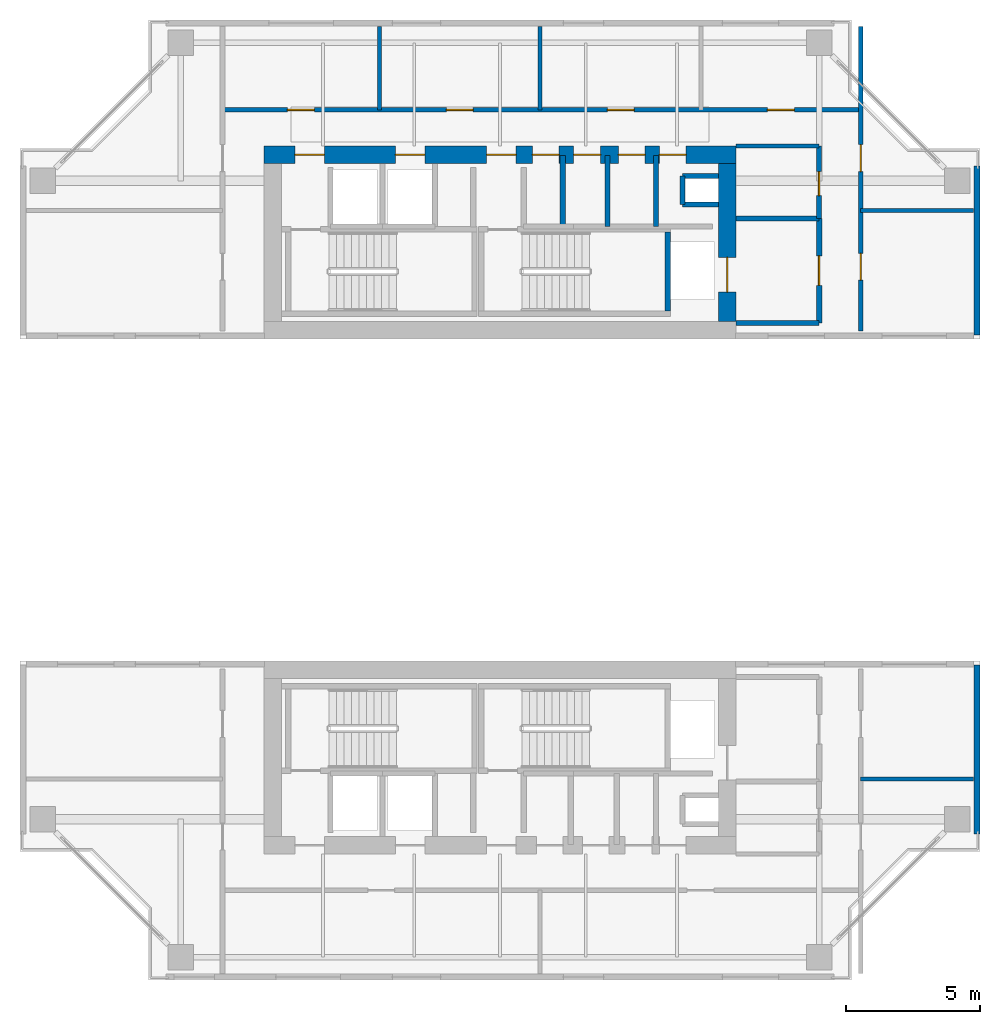
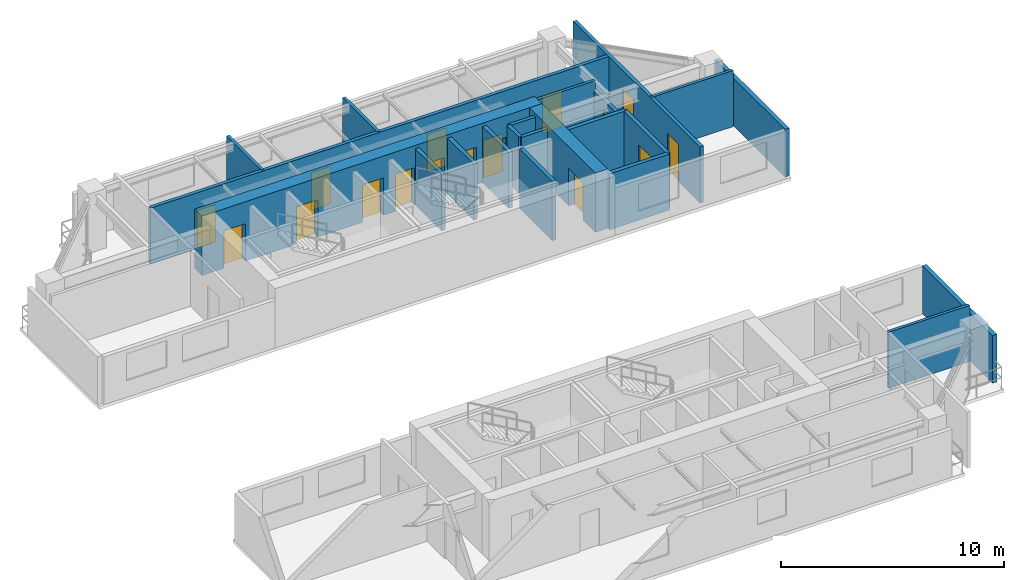
# One storey, part 9 of 12: 22 walls, 16 doors, 16 openings.
"""IFC4 building model written with IfcOpenShell, lengths in metres."""

import ifcopenshell
import ifcopenshell.guid

model = None  # the IFC model being written
_history = None  # IfcOwnerHistory: only IFC2X3 demands one
_inside = {}  # id of a spatial element -> (the spatial element, [elements in it])
_under = {}  # id of a project, library or spatial element -> (it, [spatial elements below it])
_declared = {}  # id of a project -> (the project, [libraries it declares])
_typed = {}  # id of a type object -> (the type object, [elements of that type])
_made_of = {}  # id of a material, layer set ... -> (it, [elements and type objects made of it])


def new_model(schema):
    """Start an empty IFC model of exactly this schema.

    Asked for "IFC4X3", IfcOpenShell would pick the latest addendum, in which some entities
    have other attributes; the version numbers below select the first issue.
    IFC2X3 requires an IfcOwnerHistory on every rooted entity: one is made here for all.
    """
    global model, _history
    if schema == "IFC4X3":
        model = ifcopenshell.file(schema_version=(4, 3, 0, 0))
    else:
        model = ifcopenshell.file(schema=schema)
    _inside.clear()
    _under.clear()
    _declared.clear()
    _typed.clear()
    _made_of.clear()
    _history = None
    if model.schema == "IFC2X3":
        org = make("IfcOrganization", Name="unknown")
        user = make(
            "IfcPersonAndOrganization",
            ThePerson=make("IfcPerson", FamilyName="unknown"),
            TheOrganization=org,
        )
        app = make(
            "IfcApplication",
            ApplicationDeveloper=org,
            Version="unknown",
            ApplicationFullName="unknown",
            ApplicationIdentifier="unknown",
        )
        _history = make(
            "IfcOwnerHistory",
            OwningUser=user,
            OwningApplication=app,
            ChangeAction="ADDED",
            CreationDate=0,
        )
    return model


def make(cls, **values):
    """One entity of the class cls with the attributes given. An attribute that is None is left unset."""
    return model.create_entity(
        cls, **{name: value for name, value in values.items() if value is not None}
    )


def rooted(cls, **values):
    """An entity with a GlobalId (a new one), such as an element, a storey or a relation."""
    return make(cls, GlobalId=ifcopenshell.guid.new(), OwnerHistory=_history, **values)


def si_unit(unit_type, name, prefix=None):
    """IfcSIUnit, for example si_unit("LENGTHUNIT", "METRE", prefix="MILLI")."""
    return make("IfcSIUnit", UnitType=unit_type, Prefix=prefix, Name=name)


def assignment(units):
    """IfcUnitAssignment: the units of a project."""
    return None if units is None else make("IfcUnitAssignment", Units=units)


def point(xyz):
    """IfcCartesianPoint."""
    return None if xyz is None else make("IfcCartesianPoint", Coordinates=xyz)


def direction(xyz):
    """IfcDirection."""
    return None if xyz is None else make("IfcDirection", DirectionRatios=xyz)


def frame(location, z_axis=None, x_axis=None):
    """IfcAxis2Placement3D, a coordinate frame: its origin and axes. An axis left out is left unset."""
    return make(
        "IfcAxis2Placement3D",
        Location=point(location),
        Axis=direction(z_axis),
        RefDirection=direction(x_axis),
    )


def frame_2d(location, x_axis=None):
    """IfcAxis2Placement2D, a coordinate frame in the plane: its origin and x axis."""
    return make(
        "IfcAxis2Placement2D", Location=point(location), RefDirection=direction(x_axis)
    )


def origin():
    """The frame at (0, 0, 0) with its axes left unset."""
    return frame((0.0, 0.0, 0.0))


def place(relative_to, where):
    """IfcLocalPlacement: puts the frame where relative to a parent placement (None: the world)."""
    return make(
        "IfcLocalPlacement", PlacementRelTo=relative_to, RelativePlacement=where
    )


def context(
    kind, dimensions, precision=None, world=None, true_north=None, identifier=None
):
    """IfcGeometricRepresentationContext, for example the 3D "Model" context."""
    return make(
        "IfcGeometricRepresentationContext",
        ContextIdentifier=identifier,
        ContextType=kind,
        CoordinateSpaceDimension=dimensions,
        Precision=precision,
        WorldCoordinateSystem=world,
        TrueNorth=true_north,
    )


def subcontext(parent, identifier, kind, view, scale=None):
    """IfcGeometricRepresentationSubContext, for example "Body" below "Model"."""
    return make(
        "IfcGeometricRepresentationSubContext",
        ContextIdentifier=identifier,
        ContextType=kind,
        ParentContext=parent,
        TargetScale=scale,
        TargetView=view,
    )


def project(units=None, contexts=None):
    """IfcProject with its units and contexts."""
    return rooted(
        "IfcProject",
        Name="project",
        RepresentationContexts=contexts,
        UnitsInContext=assignment(units),
    )


def spatial(cls, under=None, at=None, **own):
    """A site, building, storey or space (cls), placed at a placement, below another one or the project."""
    s = rooted(cls, ObjectPlacement=at, **own)
    if under is not None:
        _under.setdefault(under.id(), (under, []))[1].append(s)
    return s


def profile(cls, at=None, kind="AREA", **sizes):
    """A parametric profile (cls). Its sizes go by their IFC names, for example OverallWidth=200.0."""
    return make(cls, ProfileType=kind, Position=at, **sizes)


def rectangle(**sizes):
    """IfcRectangleProfileDef."""
    return profile("IfcRectangleProfileDef", **sizes)


def extrude(swept, where, along, depth):
    """IfcExtrudedAreaSolid: the profile swept, set in the frame where, extruded along a direction by depth."""
    return make(
        "IfcExtrudedAreaSolid",
        SweptArea=swept,
        Position=where,
        ExtrudedDirection=direction(along),
        Depth=depth,
    )


def shape(context_of_items, identifier, shape_type, items):
    """IfcShapeRepresentation: the items that make up one representation, for example the "Body"."""
    return make(
        "IfcShapeRepresentation",
        ContextOfItems=context_of_items,
        RepresentationIdentifier=identifier,
        RepresentationType=shape_type,
        Items=items,
    )


def source(mapping_origin, context_of_items, identifier, shape_type, items):
    """IfcRepresentationMap: a shape defined once, which mapped items show again and again."""
    return make(
        "IfcRepresentationMap",
        MappingOrigin=mapping_origin,
        MappedRepresentation=shape(context_of_items, identifier, shape_type, items),
    )


def transform(
    local_origin,
    x_axis=None,
    y_axis=None,
    z_axis=None,
    scale=None,
    scale2=None,
    scale3=None,
    uniform=True,
):
    """IfcCartesianTransformationOperator3D, or its non-uniform kind. x_axis, y_axis, z_axis: its Axis1, 2, 3."""
    if uniform:
        return make(
            "IfcCartesianTransformationOperator3D",
            Axis1=direction(x_axis),
            Axis2=direction(y_axis),
            LocalOrigin=point(local_origin),
            Scale=scale,
            Axis3=direction(z_axis),
        )
    return make(
        "IfcCartesianTransformationOperator3DnonUniform",
        Axis1=direction(x_axis),
        Axis2=direction(y_axis),
        LocalOrigin=point(local_origin),
        Scale=scale,
        Axis3=direction(z_axis),
        Scale2=scale2,
        Scale3=scale3,
    )


def mapped(mapping_source, mapping_target):
    """IfcMappedItem: shows the shape of a source again, moved by a transform."""
    return make(
        "IfcMappedItem", MappingSource=mapping_source, MappingTarget=mapping_target
    )


def material(Name=None, Category=None):
    """IfcMaterial."""
    return make("IfcMaterial", Name=Name, Category=Category)


def layer(
    of_material, thickness, ventilated=None, Name=None, Category=None, Priority=None
):
    """IfcMaterialLayer: one layer of a wall or slab, of a material (None: an air gap)."""
    return make(
        "IfcMaterialLayer",
        Material=of_material,
        LayerThickness=thickness,
        IsVentilated=ventilated,
        Name=Name,
        Category=Category,
        Priority=Priority,
    )


def layer_set(layers, Name=None):
    """IfcMaterialLayerSet."""
    return make("IfcMaterialLayerSet", MaterialLayers=layers, LayerSetName=Name)


def made_of(thing, what):
    """Note that an element or type object is made of a material, layer set ...; save() writes the relation."""
    if what is not None:
        _made_of.setdefault(what.id(), (what, []))[1].append(thing)
    return thing


def type_object(cls, material=None, **own):
    """A type object (cls), such as IfcWallType, which elements share."""
    return made_of(rooted(cls, **own), material)


def element(
    cls,
    number,
    at=None,
    inside=None,
    cuts=None,
    type_object=None,
    material=None,
    context=None,
    identifier="Body",
    shape_type=None,
    held_by="IfcProductDefinitionShape",
    body=None,
    shapes=None,
    **own,
):
    """One element of the class cls, such as IfcWall. Its Tag is "e" and its number.

    at: its placement. inside: the storey or other place that contains it. cuts: it is an
    opening in that element (IfcRelVoidsElement). A single representation is given by context,
    identifier, shape_type and body (its items); several are given by shapes. held_by: the class
    of the entity that holds the representations. save() writes the other relations.
    """
    e = rooted(cls, Tag="e%d" % number, ObjectPlacement=at, **own)
    if body is not None:
        shapes = [shape(context, identifier, shape_type, body)]
    if shapes is not None:
        e.Representation = make(held_by, Representations=shapes)
    if inside is not None:
        _inside.setdefault(inside.id(), (inside, []))[1].append(e)
    if cuts is not None:
        rooted(
            "IfcRelVoidsElement", RelatingBuildingElement=cuts, RelatedOpeningElement=e
        )
    if type_object is not None:
        _typed.setdefault(type_object.id(), (type_object, []))[1].append(e)
    return made_of(e, material)


def fill(opening, filler):
    """IfcRelFillsElement: the door or window that sits in an opening."""
    return rooted(
        "IfcRelFillsElement",
        RelatingOpeningElement=opening,
        RelatedBuildingElement=filler,
    )


def aggregate(whole, parts):
    """IfcRelAggregates: a whole, such as a stair, and the parts it consists of."""
    return rooted("IfcRelAggregates", RelatingObject=whole, RelatedObjects=parts)


def save(model, path):
    """Write the relations noted so far, then the file.

    IfcRelAggregates (storeys below a building ...), IfcRelContainedInSpatialStructure (elements
    in a storey), IfcRelDefinesByType, IfcRelAssociatesMaterial and IfcRelDeclares: one each for
    every whole, place, type object, material and project.
    """
    for whole, parts in _under.values():
        aggregate(whole, parts)
    for where, things in _inside.values():
        rooted(
            "IfcRelContainedInSpatialStructure",
            RelatedElements=things,
            RelatingStructure=where,
        )
    for kind, things in _typed.values():
        rooted("IfcRelDefinesByType", RelatedObjects=things, RelatingType=kind)
    for what, things in _made_of.values():
        rooted("IfcRelAssociatesMaterial", RelatedObjects=things, RelatingMaterial=what)
    for by, libraries in _declared.values():
        rooted("IfcRelDeclares", RelatingContext=by, RelatedDefinitions=libraries)
    model.write(path)


model = new_model("IFC4")

# Units and contexts
model_context = context("Model", 3, precision=1e-05, world=origin(), true_north=direction((0.0, 1.0)))
body_context = subcontext(model_context, "Body", "Model", "MODEL_VIEW")
ifc_project = project(units=[si_unit("LENGTHUNIT", "METRE"), si_unit("AREAUNIT", "SQUARE_METRE"), si_unit("VOLUMEUNIT", "CUBIC_METRE"), si_unit("PLANEANGLEUNIT", "RADIAN"), si_unit("MASSUNIT", "GRAM", prefix="KILO"), si_unit("THERMODYNAMICTEMPERATUREUNIT", "KELVIN"), si_unit("POWERUNIT", "WATT")], contexts=[model_context])

# Site, building, storey
site_placement = place(None, origin())
site = spatial("IfcSite", under=ifc_project, at=site_placement, CompositionType="ELEMENT")
building_placement = place(site_placement, origin())
building = spatial("IfcBuilding", under=site, at=building_placement, Name="Qiaomeng Ring Towers", CompositionType="ELEMENT")
storey_placement = place(building_placement, frame((0.0, 0.0, 163.25)))
storey = spatial("IfcBuildingStorey", under=building, at=storey_placement, Name="L47", CompositionType="ELEMENT", Elevation=163.25)

# Walls
ifc_material_1 = material(Name="Precast concrete C40", Category="concrete")
ifc_layer_1 = layer(ifc_material_1, 0.219970703125, Name="Precast concrete C40")
ifc_layer_set_1 = layer_set([ifc_layer_1], Name="Precast concrete C40")
wall_type_1 = type_object("IfcWallType", Name="ARC-WL-EW2", PredefinedType="STANDARD", material=ifc_layer_set_1)
for number, where, z_axis, x_axis, name in (
    (1, (36.7900390625, 29.14990234375, 0.0), (0.0, 0.0, 1.0), (0.0, 1.0, 0.0), "L47 Portal Wing Side Wall NWING-EL"),
    (2, (36.7900390625, 10.550048828125, 0.0), (0.0, 0.0, 1.0), (0.0, 1.0, 0.0), "L47 Portal Wing Side Wall SWING-EL"),
):
    element("IfcWall", number, at=place(storey_placement, frame(where, z_axis=z_axis, x_axis=x_axis)), inside=storey, type_object=wall_type_1, Name=name, PredefinedType="STANDARD", context=body_context, shape_type="SweptSolid", body=[
        extrude(rectangle(XDim=6.300048828125, YDim=0.219970703125, at=frame_2d((3.14990234375, 0.0))), origin(), (0.0, 0.0, 1.0), 2.610107421875),
    ])
ifc_material_2 = material(Name="Autoclaved aerated concrete block", Category="concrete")
ifc_layer_2 = layer(ifc_material_2, 0.199951171875, Name="Autoclaved aerated concrete block")
ifc_layer_set_2 = layer_set([ifc_layer_2], Name="Autoclaved aerated concrete block")
wall_type_2 = type_object("IfcWallType", Name="ARC-WL-PW1", PredefinedType="PARTITIONING", material=ifc_layer_set_2)
for number, where, z_axis, x_axis, name in (
    (3, (27.800048828125, 29.60009765625, 0.0), (0.0, 0.0, 1.0), (1.0, 0.0, 0.0), "L47 Interior Wall PW1"),
    (4, (27.800048828125, 33.5, 0.0), (0.0, 0.0, 1.0), (1.0, 0.0, 0.0), "L47 Interior Wall PW1"),
):
    element("IfcWall", number, at=place(storey_placement, frame(where, z_axis=z_axis, x_axis=x_axis)), inside=storey, type_object=wall_type_2, Name=name, PredefinedType="PARTITIONING", context=body_context, shape_type="SweptSolid", body=[
        extrude(rectangle(XDim=3.099853515625, YDim=0.199951171875, at=frame_2d((1.5498046875, 0.0))), origin(), (0.0, 0.0, 1.0), 3.070068359375),
    ])

# Wall, opening, door
wall_1_placement = place(storey_placement, frame((30.89990234375, 29.60009765625, 0.0), z_axis=(0.0, 0.0, 1.0), x_axis=(0.0, 1.0, 0.0)))
wall_1 = element("IfcWall", 5, at=wall_1_placement, inside=storey, type_object=wall_type_2, Name="L47 Interior Wall PW1", PredefinedType="PARTITIONING", context=body_context, shape_type="SweptSolid", body=[
    extrude(rectangle(XDim=3.89990234375, YDim=0.199951171875, at=frame_2d((1.949951171875, 0.0))), origin(), (0.0, 0.0, 1.0), 3.070068359375),
])
opening_1_placement = place(wall_1_placement, frame((1.39990234375, 0.0, 0.0)))
opening_1 = element("IfcOpeningElement", 6, at=opening_1_placement, cuts=wall_1, Name="Opening FD3", PredefinedType="OPENING", context=body_context, shape_type="SweptSolid", body=[
    extrude(rectangle(XDim=1.10009765625, YDim=2.050048828125, at=frame_2d((0.550048828125, 1.02490234375))), frame((0.0, 0.10986328125, 0.0), z_axis=(0.0, -1.0, 0.0), x_axis=(1.0, 0.0, 0.0)), (0.0, 0.0, 1.0), 0.219970703125),
])
ifc_material_3 = material(Name="Galvanised steel", Category="steel")
door_type_1 = type_object("IfcDoorType", Name="ARC-DR-FD3", OperationType="NOTDEFINED", PredefinedType="DOOR", material=ifc_material_3)
shared_shape_1 = source(origin(), body_context, "Body", "SweptSolid", [
    extrude(rectangle(XDim=1.10009765625, YDim=2.050048828125, at=frame_2d((0.550048828125, 1.02490234375))), frame((0.0, 0.02490234375, 0.0), z_axis=(0.0, -1.0, 0.0), x_axis=(1.0, 0.0, 0.0)), (0.0, 0.0, 1.0), 0.050048828125),
])
door_1_placement = place(opening_1_placement, origin())
door_1 = element("IfcDoor", 7, at=door_1_placement, inside=storey, type_object=door_type_1, Name="L47 North FF Lobby Door", OperationType="SINGLE_SWING_LEFT", OverallHeight=2.050048828125, OverallWidth=1.10009765625, PredefinedType="DOOR", context=body_context, shape_type="MappedRepresentation", body=[
    mapped(shared_shape_1, transform((0.0, 0.0, 0.0), x_axis=(1.0, 0.0, 0.0), y_axis=(0.0, 1.0, 0.0), z_axis=(0.0, 0.0, 1.0), scale=1.0)),
])
fill(opening_1, door_1)

# Walls
for number, where, z_axis, x_axis, name in (
    (8, (24.820068359375, 33.199951171875, 0.0), (0.0, 0.0, 1.0), (0.0, 1.0, 0.0), "L47 Interior Wall PW1"),
    (9, (21.340087890625, 33.199951171875, 0.0), (0.0, 0.0, 1.0), (0.0, 1.0, 0.0), "L47 Interior Wall PW1"),
    (10, (23.010009765625, 33.199951171875, 0.0), (0.0, 0.0, 1.0), (0.0, 1.0, 0.0), "L47 Interior Wall PW1"),
):
    element("IfcWall", number, at=place(storey_placement, frame(where, z_axis=z_axis, x_axis=x_axis)), inside=storey, type_object=wall_type_2, Name=name, PredefinedType="PARTITIONING", context=body_context, shape_type="SweptSolid", body=[
        extrude(rectangle(XDim=2.650146484375, YDim=0.199951171875, at=frame_2d((1.3251953125, 0.0))), origin(), (0.0, 0.0, 1.0), 3.070068359375),
    ])

# Wall, opening, door
ifc_layer_3 = layer(ifc_material_2, 0.179931640625, Name="Autoclaved aerated concrete block")
ifc_layer_set_3 = layer_set([ifc_layer_3], Name="Autoclaved aerated concrete block")
wall_type_3 = type_object("IfcWallType", Name="ARC-WL-PW2", PredefinedType="PARTITIONING", material=ifc_layer_set_3)
wall_2_placement = place(storey_placement, frame((30.89990234375, 33.5, 0.0), z_axis=(0.0, 0.0, 1.0), x_axis=(0.0, 1.0, 0.0)))
wall_2 = element("IfcWall", 11, at=wall_2_placement, inside=storey, type_object=wall_type_3, Name="L47 Interior Wall PW2", PredefinedType="PARTITIONING", context=body_context, shape_type="SweptSolid", body=[
    extrude(rectangle(XDim=2.699951171875, YDim=0.179931640625, at=frame_2d((1.35009765625, 0.0))), origin(), (0.0, 0.0, 1.0), 2.56494140625),
])
opening_2_placement = place(wall_2_placement, frame((0.85009765625, 0.0, 0.0)))
opening_2 = element("IfcOpeningElement", 12, at=opening_2_placement, cuts=wall_2, Name="Opening ID1", PredefinedType="OPENING", context=body_context, shape_type="SweptSolid", body=[
    extrude(rectangle(XDim=0.89990234375, YDim=2.050048828125, at=frame_2d((0.449951171875, 1.02490234375))), frame((0.0, 0.099853515625, 0.0), z_axis=(0.0, -1.0, 0.0), x_axis=(1.0, 0.0, 0.0)), (0.0, 0.0, 1.0), 0.199951171875),
])
ifc_material_4 = material(Name="Engineered oak timber", Category="wood")
door_type_2 = type_object("IfcDoorType", Name="ARC-DR-ID1", OperationType="NOTDEFINED", PredefinedType="DOOR", material=ifc_material_4)
shared_shape_2 = source(origin(), body_context, "Body", "SweptSolid", [
    extrude(rectangle(XDim=0.89990234375, YDim=2.050048828125, at=frame_2d((0.449951171875, 1.02490234375))), frame((0.0, 0.02490234375, 0.0), z_axis=(0.0, -1.0, 0.0), x_axis=(1.0, 0.0, 0.0)), (0.0, 0.0, 1.0), 0.050048828125),
])
door_2_placement = place(opening_2_placement, origin())
door_2 = element("IfcDoor", 13, at=door_2_placement, inside=storey, type_object=door_type_2, Name="L47 Door ID1", OperationType="SINGLE_SWING_LEFT", OverallHeight=2.050048828125, OverallWidth=0.89990234375, PredefinedType="DOOR", context=body_context, shape_type="MappedRepresentation", body=[
    mapped(shared_shape_2, transform((0.0, 0.0, 0.0), x_axis=(1.0, 0.0, 0.0), y_axis=(0.0, 1.0, 0.0), z_axis=(0.0, 0.0, 1.0), scale=1.0)),
])
fill(opening_2, door_2)

# Wall, openings, doors
wall_3_placement = place(storey_placement, frame((32.449951171875, 29.300048828125, 0.0), z_axis=(0.0, 0.0, 1.0), x_axis=(0.0, 1.0, 0.0)))
wall_3 = element("IfcWall", 14, at=wall_3_placement, inside=storey, type_object=wall_type_3, Name="L47 Interior Wall PW2", PredefinedType="PARTITIONING", context=body_context, shape_type="SweptSolid", body=[
    extrude(rectangle(XDim=11.349853515625, YDim=0.179931640625, at=frame_2d((5.6748046875, 0.0))), origin(), (0.0, 0.0, 1.0), 3.070068359375),
])
opening_3_placement = place(wall_3_placement, frame((1.89990234375, 0.0, 0.0)))
opening_3 = element("IfcOpeningElement", 15, at=opening_3_placement, cuts=wall_3, Name="Opening FD4", PredefinedType="OPENING", context=body_context, shape_type="SweptSolid", body=[
    extrude(rectangle(XDim=1.0, YDim=2.050048828125, at=frame_2d((0.5, 1.02490234375))), frame((0.0, 0.099853515625, 0.0), z_axis=(0.0, -1.0, 0.0), x_axis=(1.0, 0.0, 0.0)), (0.0, 0.0, 1.0), 0.199951171875),
])
opening_4_placement = place(wall_3_placement, frame((5.949951171875, 0.0, 0.0)))
opening_4 = element("IfcOpeningElement", 16, at=opening_4_placement, cuts=wall_3, Name="Opening FD4", PredefinedType="OPENING", context=body_context, shape_type="SweptSolid", body=[
    extrude(rectangle(XDim=1.0, YDim=2.050048828125, at=frame_2d((0.5, 1.02490234375))), frame((0.0, 0.099853515625, 0.0), z_axis=(0.0, -1.0, 0.0), x_axis=(1.0, 0.0, 0.0)), (0.0, 0.0, 1.0), 0.199951171875),
])
ifc_material_5 = material(Name="Engineered fire-rated oak timber", Category="wood")
door_type_3 = type_object("IfcDoorType", Name="ARC-DR-FD4", OperationType="NOTDEFINED", PredefinedType="DOOR", material=ifc_material_5)
shared_shape_3 = source(origin(), body_context, "Body", "SweptSolid", [
    extrude(rectangle(XDim=1.0, YDim=2.050048828125, at=frame_2d((0.5, 1.02490234375))), frame((0.0, 0.02490234375, 0.0), z_axis=(0.0, -1.0, 0.0), x_axis=(1.0, 0.0, 0.0)), (0.0, 0.0, 1.0), 0.050048828125),
])
door_3_placement = place(opening_3_placement, origin())
door_3 = element("IfcDoor", 17, at=door_3_placement, inside=storey, type_object=door_type_3, Name="L47 Door FD4", OperationType="SINGLE_SWING_LEFT", OverallHeight=2.050048828125, OverallWidth=1.0, PredefinedType="DOOR", context=body_context, shape_type="MappedRepresentation", body=[
    mapped(shared_shape_3, transform((0.0, 0.0, 0.0), x_axis=(1.0, 0.0, 0.0), y_axis=(0.0, 1.0, 0.0), z_axis=(0.0, 0.0, 1.0), scale=1.0)),
])
fill(opening_3, door_3)
door_4_placement = place(opening_4_placement, origin())
door_4 = element("IfcDoor", 18, at=door_4_placement, inside=storey, type_object=door_type_3, Name="L47 Door FD4", OperationType="SINGLE_SWING_RIGHT", OverallHeight=2.050048828125, OverallWidth=1.0, PredefinedType="DOOR", context=body_context, shape_type="MappedRepresentation", body=[
    mapped(shared_shape_3, transform((0.0, 0.0, 0.0), x_axis=(1.0, 0.0, 0.0), y_axis=(0.0, 1.0, 0.0), z_axis=(0.0, 0.0, 1.0), scale=1.0)),
])
fill(opening_4, door_4)

wall_4_placement = place(storey_placement, frame((8.64990234375, 37.550048828125, 0.0), z_axis=(0.0, 0.0, 1.0), x_axis=(1.0, 0.0, 0.0)))
wall_4 = element("IfcWall", 19, at=wall_4_placement, inside=storey, type_object=wall_type_3, Name="L47 Interior Wall PW2", PredefinedType="PARTITIONING", context=body_context, shape_type="SweptSolid", body=[
    extrude(rectangle(XDim=23.800048828125, YDim=0.179931640625, at=frame_2d((11.89990234375, 0.0))), origin(), (0.0, 0.0, 1.0), 3.070068359375),
])
opening_5_placement = place(wall_4_placement, frame((2.425048828125, 0.0, 0.0)))
opening_5 = element("IfcOpeningElement", 20, at=opening_5_placement, cuts=wall_4, Name="Opening FD4", PredefinedType="OPENING", context=body_context, shape_type="SweptSolid", body=[
    extrude(rectangle(XDim=1.0, YDim=2.050048828125, at=frame_2d((0.5, 1.02490234375))), frame((0.0, 0.099853515625, 0.0), z_axis=(0.0, -1.0, 0.0), x_axis=(1.0, 0.0, 0.0)), (0.0, 0.0, 1.0), 0.199951171875),
])
opening_6_placement = place(wall_4_placement, frame((8.35009765625, 0.0, 0.0)))
opening_6 = element("IfcOpeningElement", 21, at=opening_6_placement, cuts=wall_4, Name="Opening FD4", PredefinedType="OPENING", context=body_context, shape_type="SweptSolid", body=[
    extrude(rectangle(XDim=1.0, YDim=2.050048828125, at=frame_2d((0.5, 1.02490234375))), frame((0.0, 0.099853515625, 0.0), z_axis=(0.0, -1.0, 0.0), x_axis=(1.0, 0.0, 0.0)), (0.0, 0.0, 1.0), 0.199951171875),
])
opening_7_placement = place(wall_4_placement, frame((14.35009765625, 0.0, 0.0)))
opening_7 = element("IfcOpeningElement", 22, at=opening_7_placement, cuts=wall_4, Name="Opening FD4", PredefinedType="OPENING", context=body_context, shape_type="SweptSolid", body=[
    extrude(rectangle(XDim=1.0, YDim=2.050048828125, at=frame_2d((0.5, 1.02490234375))), frame((0.0, 0.099853515625, 0.0), z_axis=(0.0, -1.0, 0.0), x_axis=(1.0, 0.0, 0.0)), (0.0, 0.0, 1.0), 0.199951171875),
])
opening_8_placement = place(wall_4_placement, frame((20.324951171875, 0.0, 0.0)))
opening_8 = element("IfcOpeningElement", 23, at=opening_8_placement, cuts=wall_4, Name="Opening FD4", PredefinedType="OPENING", context=body_context, shape_type="SweptSolid", body=[
    extrude(rectangle(XDim=1.0, YDim=2.050048828125, at=frame_2d((0.5, 1.02490234375))), frame((0.0, 0.099853515625, 0.0), z_axis=(0.0, -1.0, 0.0), x_axis=(1.0, 0.0, 0.0)), (0.0, 0.0, 1.0), 0.199951171875),
])
door_5_placement = place(opening_5_placement, origin())
door_5 = element("IfcDoor", 24, at=door_5_placement, inside=storey, type_object=door_type_3, Name="L47 Door FD4", OperationType="SINGLE_SWING_LEFT", OverallHeight=2.050048828125, OverallWidth=1.0, PredefinedType="DOOR", context=body_context, shape_type="MappedRepresentation", body=[
    mapped(shared_shape_3, transform((0.0, 0.0, 0.0), x_axis=(1.0, 0.0, 0.0), y_axis=(0.0, 1.0, 0.0), z_axis=(0.0, 0.0, 1.0), scale=1.0)),
])
fill(opening_5, door_5)
door_6_placement = place(opening_6_placement, origin())
door_6 = element("IfcDoor", 25, at=door_6_placement, inside=storey, type_object=door_type_3, Name="L47 Door FD4", OperationType="SINGLE_SWING_RIGHT", OverallHeight=2.050048828125, OverallWidth=1.0, PredefinedType="DOOR", context=body_context, shape_type="MappedRepresentation", body=[
    mapped(shared_shape_3, transform((0.0, 0.0, 0.0), x_axis=(1.0, 0.0, 0.0), y_axis=(0.0, 1.0, 0.0), z_axis=(0.0, 0.0, 1.0), scale=1.0)),
])
fill(opening_6, door_6)
door_7_placement = place(opening_7_placement, origin())
door_7 = element("IfcDoor", 26, at=door_7_placement, inside=storey, type_object=door_type_3, Name="L47 Door FD4", OperationType="SINGLE_SWING_LEFT", OverallHeight=2.050048828125, OverallWidth=1.0, PredefinedType="DOOR", context=body_context, shape_type="MappedRepresentation", body=[
    mapped(shared_shape_3, transform((0.0, 0.0, 0.0), x_axis=(1.0, 0.0, 0.0), y_axis=(0.0, 1.0, 0.0), z_axis=(0.0, 0.0, 1.0), scale=1.0)),
])
fill(opening_7, door_7)
door_8_placement = place(opening_8_placement, origin())
door_8 = element("IfcDoor", 27, at=door_8_placement, inside=storey, type_object=door_type_3, Name="L47 Door FD4", OperationType="SINGLE_SWING_RIGHT", OverallHeight=2.050048828125, OverallWidth=1.0, PredefinedType="DOOR", context=body_context, shape_type="MappedRepresentation", body=[
    mapped(shared_shape_3, transform((0.0, 0.0, 0.0), x_axis=(1.0, 0.0, 0.0), y_axis=(0.0, 1.0, 0.0), z_axis=(0.0, 0.0, 1.0), scale=1.0)),
])
fill(opening_8, door_8)

# Walls
ifc_material_6 = material(Name="Gypsum fireboard steel-stud partition", Category="steel")
ifc_layer_4 = layer(ifc_material_6, 0.14990234375, Name="Gypsum fireboard steel-stud partition")
ifc_layer_set_4 = layer_set([ifc_layer_4], Name="Gypsum fireboard steel-stud partition")
wall_type_4 = type_object("IfcWallType", Name="ARC-WL-PW3", PredefinedType="PARTITIONING", material=ifc_layer_set_4)
wall_5_placement = place(storey_placement, frame((27.800048828125, 36.199951171875, 0.0), z_axis=(0.0, 0.0, 1.0), x_axis=(1.0, 0.0, 0.0)))
element("IfcWall", 28, at=wall_5_placement, inside=storey, type_object=wall_type_4, Name="L47 Interior Wall PW3", PredefinedType="PARTITIONING", context=body_context, shape_type="SweptSolid", body=[
    extrude(rectangle(XDim=3.099853515625, YDim=0.14990234375, at=frame_2d((1.5498046875, 0.0))), origin(), (0.0, 0.0, 1.0), 3.070068359375),
])
wall_6_placement = place(storey_placement, frame((32.449951171875, 33.800048828125, 0.0), z_axis=(0.0, 0.0, 1.0), x_axis=(1.0, 0.0, 0.0)))
element("IfcWall", 29, at=wall_6_placement, inside=storey, type_object=wall_type_4, Name="L47 Interior Wall PW3", PredefinedType="PARTITIONING", context=body_context, shape_type="SweptSolid", body=[
    extrude(rectangle(XDim=4.199951171875, YDim=0.14990234375, at=frame_2d((2.10009765625, 0.0))), origin(), (0.0, 0.0, 1.0), 3.070068359375),
])
for number, where, z_axis, x_axis, name in (
    (30, (14.5, 37.550048828125, 0.0), (0.0, 0.0, 1.0), (0.0, 1.0, 0.0), "L47 Interior Wall PW3"),
    (31, (20.5, 37.550048828125, 0.0), (0.0, 0.0, 1.0), (0.0, 1.0, 0.0), "L47 Interior Wall PW3"),
):
    element("IfcWall", number, at=place(storey_placement, frame(where, z_axis=z_axis, x_axis=x_axis)), inside=storey, type_object=wall_type_4, Name=name, PredefinedType="PARTITIONING", context=body_context, shape_type="SweptSolid", body=[
        extrude(rectangle(XDim=3.099853515625, YDim=0.14990234375, at=frame_2d((1.5498046875, 0.0))), origin(), (0.0, 0.0, 1.0), 3.070068359375),
    ])
wall_7_placement = place(storey_placement, frame((32.449951171875, 12.60009765625, 0.0), z_axis=(0.0, 0.0, 1.0), x_axis=(1.0, 0.0, 0.0)))
element("IfcWall", 32, at=wall_7_placement, inside=storey, type_object=wall_type_4, Name="L47 Interior Wall PW3", PredefinedType="PARTITIONING", context=body_context, shape_type="SweptSolid", body=[
    extrude(rectangle(XDim=4.199951171875, YDim=0.14990234375, at=frame_2d((2.10009765625, 0.0))), origin(), (0.0, 0.0, 1.0), 3.070068359375),
])
ifc_material_7 = material(Name="Concrete C40", Category="concrete")
ifc_layer_5 = layer(ifc_material_7, 0.199951171875, Name="Concrete C40")
ifc_layer_set_5 = layer_set([ifc_layer_5], Name="Concrete C40")
wall_type_5 = type_object("IfcWallType", Name="STR-WL-STSHAFT", PredefinedType="SHEAR", material=ifc_layer_set_5)
wall_8_placement = place(storey_placement, frame((25.800048828125, 34.02001953125, 0.0), z_axis=(0.0, 0.0, 1.0), x_axis=(0.0, 1.0, 0.0)))
element("IfcWall", 33, at=wall_8_placement, inside=storey, type_object=wall_type_5, Name="L47 Riser RSR1 West Shaft Wall N", PredefinedType="SHEAR", context=body_context, shape_type="SweptSolid", body=[
    extrude(rectangle(XDim=1.06005859375, YDim=0.179931640625, at=frame_2d((0.530029296875, 0.0))), origin(), (0.0, 0.0, 1.0), 3.070068359375),
])
for number, where, z_axis, x_axis, name in (
    (34, (25.800048828125, 35.080078125, 0.0), (0.0, 0.0, 1.0), (1.0, 0.0, 0.0), "L47 Riser RSR1 North Shaft Wall N"),
    (35, (25.800048828125, 34.02001953125, 0.0), (0.0, 0.0, 1.0), (1.0, 0.0, 0.0), "L47 Riser RSR1 South Shaft Wall N"),
):
    element("IfcWall", number, at=place(storey_placement, frame(where, z_axis=z_axis, x_axis=x_axis)), inside=storey, type_object=wall_type_5, Name=name, PredefinedType="SHEAR", context=body_context, shape_type="SweptSolid", body=[
        extrude(rectangle(XDim=1.349853515625, YDim=0.179931640625, at=frame_2d((0.6748046875, 0.0))), origin(), (0.0, 0.0, 1.0), 3.070068359375),
    ])
wall_9_placement = place(storey_placement, frame((25.25, 30.050048828125, 0.0), z_axis=(0.0, 0.0, 1.0), x_axis=(0.0, 1.0, 0.0)))
element("IfcWall", 36, at=wall_9_placement, inside=storey, type_object=wall_type_5, Name="L47 Stair ST2 East Shaft Shear Wall", PredefinedType="SHEAR", context=body_context, shape_type="SweptSolid", body=[
    extrude(rectangle(XDim=2.93994140625, YDim=0.199951171875, at=frame_2d((1.469970703125, 0.0))), origin(), (0.0, 0.0, 1.0), 3.25),
])

# Wall, openings, doors
ifc_material_8 = material(Name="Concrete C50", Category="concrete")
ifc_layer_6 = layer(ifc_material_8, 0.64990234375, Name="Concrete C50")
ifc_layer_set_6 = layer_set([ifc_layer_6], Name="Concrete C50")
wall_type_6 = type_object("IfcWallType", Name="STR-WL-SW2B", PredefinedType="SHEAR", material=ifc_layer_set_6)
wall_10_placement = place(storey_placement, frame((10.199951171875, 35.875, 0.0), z_axis=(0.0, 0.0, 1.0), x_axis=(1.0, 0.0, 0.0)))
wall_10 = element("IfcWall", 37, at=wall_10_placement, inside=storey, type_object=wall_type_6, Name="L47 T1NC north core shear wall", PredefinedType="SHEAR", context=body_context, shape_type="SweptSolid", body=[
    extrude(rectangle(XDim=17.60009765625, YDim=0.64990234375, at=frame_2d((8.800048828125, 0.0))), origin(), (0.0, 0.0, 1.0), 3.25),
])
opening_9_placement = place(wall_10_placement, frame((1.14990234375, 0.0, 0.0)))
opening_9 = element("IfcOpeningElement", 38, at=opening_9_placement, cuts=wall_10, Name="Opening FD3", PredefinedType="OPENING", context=body_context, shape_type="SweptSolid", body=[
    extrude(rectangle(XDim=1.10009765625, YDim=2.050048828125, at=frame_2d((0.550048828125, 1.02490234375))), frame((0.0, 0.3349609375, 0.0), z_axis=(0.0, -1.0, 0.0), x_axis=(1.0, 0.0, 0.0)), (0.0, 0.0, 1.0), 0.669921875),
])
opening_10_placement = place(wall_10_placement, frame((8.300048828125, 0.0, 0.0)))
opening_10 = element("IfcOpeningElement", 39, at=opening_10_placement, cuts=wall_10, Name="Opening FD3", PredefinedType="OPENING", context=body_context, shape_type="SweptSolid", body=[
    extrude(rectangle(XDim=1.10009765625, YDim=2.050048828125, at=frame_2d((0.550048828125, 1.02490234375))), frame((0.0, 0.3349609375, 0.0), z_axis=(0.0, -1.0, 0.0), x_axis=(1.0, 0.0, 0.0)), (0.0, 0.0, 1.0), 0.669921875),
])
opening_11_placement = place(wall_10_placement, frame((4.89990234375, 0.0, 0.0)))
opening_11 = element("IfcOpeningElement", 40, at=opening_11_placement, cuts=wall_10, Name="Opening LD1", PredefinedType="OPENING", context=body_context, shape_type="SweptSolid", body=[
    extrude(rectangle(XDim=1.10009765625, YDim=2.050048828125, at=frame_2d((0.550048828125, 1.02490234375))), frame((0.0, 0.3349609375, 0.0), z_axis=(0.0, -1.0, 0.0), x_axis=(1.0, 0.0, 0.0)), (0.0, 0.0, 1.0), 0.669921875),
])
opening_12_placement = place(wall_10_placement, frame((14.739990234375, 0.0, 0.0)))
opening_12 = element("IfcOpeningElement", 41, at=opening_12_placement, cuts=wall_10, Name="Opening FD1", PredefinedType="OPENING", context=body_context, shape_type="SweptSolid", body=[
    extrude(rectangle(XDim=1.0, YDim=2.050048828125, at=frame_2d((0.5, 1.02490234375))), frame((0.0, 0.3349609375, 0.0), z_axis=(0.0, -1.0, 0.0), x_axis=(1.0, 0.0, 0.0)), (0.0, 0.0, 1.0), 0.669921875),
])
opening_13_placement = place(wall_10_placement, frame((10.0048828125, 0.0, 0.0)))
opening_13 = element("IfcOpeningElement", 42, at=opening_13_placement, cuts=wall_10, Name="Opening FD1", PredefinedType="OPENING", context=body_context, shape_type="SweptSolid", body=[
    extrude(rectangle(XDim=1.0, YDim=2.050048828125, at=frame_2d((0.5, 1.02490234375))), frame((0.0, 0.3349609375, 0.0), z_axis=(0.0, -1.0, 0.0), x_axis=(1.0, 0.0, 0.0)), (0.0, 0.0, 1.0), 0.669921875),
])
opening_14_placement = place(wall_10_placement, frame((11.550048828125, 0.0, 0.0)))
opening_14 = element("IfcOpeningElement", 43, at=opening_14_placement, cuts=wall_10, Name="Opening FD1", PredefinedType="OPENING", context=body_context, shape_type="SweptSolid", body=[
    extrude(rectangle(XDim=1.0, YDim=2.050048828125, at=frame_2d((0.5, 1.02490234375))), frame((0.0, 0.3349609375, 0.0), z_axis=(0.0, -1.0, 0.0), x_axis=(1.0, 0.0, 0.0)), (0.0, 0.0, 1.0), 0.669921875),
])
opening_15_placement = place(wall_10_placement, frame((13.215087890625, 0.0, 0.0)))
opening_15 = element("IfcOpeningElement", 44, at=opening_15_placement, cuts=wall_10, Name="Opening FD1", PredefinedType="OPENING", context=body_context, shape_type="SweptSolid", body=[
    extrude(rectangle(XDim=1.0, YDim=2.050048828125, at=frame_2d((0.5, 1.02490234375))), frame((0.0, 0.3349609375, 0.0), z_axis=(0.0, -1.0, 0.0), x_axis=(1.0, 0.0, 0.0)), (0.0, 0.0, 1.0), 0.669921875),
])
door_9_placement = place(opening_9_placement, origin())
door_9 = element("IfcDoor", 45, at=door_9_placement, inside=storey, type_object=door_type_1, Name="L47 Stair ST1 Lobby Door", OperationType="SINGLE_SWING_LEFT", OverallHeight=2.050048828125, OverallWidth=1.10009765625, PredefinedType="DOOR", context=body_context, shape_type="MappedRepresentation", body=[
    mapped(shared_shape_1, transform((0.0, 0.0, 0.0), x_axis=(1.0, 0.0, 0.0), y_axis=(0.0, 1.0, 0.0), z_axis=(0.0, 0.0, 1.0), scale=1.0)),
])
fill(opening_9, door_9)
door_10_placement = place(opening_10_placement, origin())
door_10 = element("IfcDoor", 46, at=door_10_placement, inside=storey, type_object=door_type_1, Name="L47 Stair ST2 Lobby Door", OperationType="SINGLE_SWING_LEFT", OverallHeight=2.050048828125, OverallWidth=1.10009765625, PredefinedType="DOOR", context=body_context, shape_type="MappedRepresentation", body=[
    mapped(shared_shape_1, transform((0.0, 0.0, 0.0), x_axis=(1.0, 0.0, 0.0), y_axis=(0.0, 1.0, 0.0), z_axis=(0.0, 0.0, 1.0), scale=1.0)),
])
fill(opening_10, door_10)
ifc_material_9 = material(Name="Stainless steel 316", Category="steel")
door_type_4 = type_object("IfcDoorType", Name="ARC-DR-LD1", OperationType="NOTDEFINED", PredefinedType="DOOR", material=ifc_material_9)
door_11_placement = place(opening_11_placement, origin())
door_11 = element("IfcDoor", 47, at=door_11_placement, inside=storey, type_object=door_type_4, Name="L47 Mid-Zone Lift LP3 Landing Door", OperationType="SLIDING_TO_LEFT", OverallHeight=2.050048828125, OverallWidth=1.10009765625, PredefinedType="DOOR", context=body_context, shape_type="MappedRepresentation", body=[
    mapped(shared_shape_1, transform((0.0, 0.0, 0.0), x_axis=(1.0, 0.0, 0.0), y_axis=(0.0, 1.0, 0.0), z_axis=(0.0, 0.0, 1.0), scale=1.0)),
])
fill(opening_11, door_11)
door_type_5 = type_object("IfcDoorType", Name="ARC-DR-FD1", OperationType="NOTDEFINED", PredefinedType="DOOR", material=ifc_material_3)
door_12_placement = place(opening_12_placement, origin())
door_12 = element("IfcDoor", 48, at=door_12_placement, inside=storey, type_object=door_type_5, Name="L47 North Electrical Riser Door", OperationType="SINGLE_SWING_LEFT", OverallHeight=2.050048828125, OverallWidth=1.0, PredefinedType="DOOR", context=body_context, shape_type="MappedRepresentation", body=[
    mapped(shared_shape_3, transform((0.0, 0.0, 0.0), x_axis=(1.0, 0.0, 0.0), y_axis=(0.0, 1.0, 0.0), z_axis=(0.0, 0.0, 1.0), scale=1.0)),
])
fill(opening_12, door_12)
door_13_placement = place(opening_13_placement, origin())
door_13 = element("IfcDoor", 49, at=door_13_placement, inside=storey, type_object=door_type_5, Name="L47 North Cleaners Cupboard Door", OperationType="SINGLE_SWING_LEFT", OverallHeight=2.050048828125, OverallWidth=1.0, PredefinedType="DOOR", context=body_context, shape_type="MappedRepresentation", body=[
    mapped(shared_shape_3, transform((0.0, 0.0, 0.0), x_axis=(1.0, 0.0, 0.0), y_axis=(0.0, 1.0, 0.0), z_axis=(0.0, 0.0, 1.0), scale=1.0)),
])
fill(opening_13, door_13)
door_14_placement = place(opening_14_placement, origin())
door_14 = element("IfcDoor", 50, at=door_14_placement, inside=storey, type_object=door_type_5, Name="L47 North Staff Tea Pantry Door", OperationType="SINGLE_SWING_RIGHT", OverallHeight=2.050048828125, OverallWidth=1.0, PredefinedType="DOOR", context=body_context, shape_type="MappedRepresentation", body=[
    mapped(shared_shape_3, transform((0.0, 0.0, 0.0), x_axis=(1.0, 0.0, 0.0), y_axis=(0.0, 1.0, 0.0), z_axis=(0.0, 0.0, 1.0), scale=1.0)),
])
fill(opening_14, door_14)
door_15_placement = place(opening_15_placement, origin())
door_15 = element("IfcDoor", 51, at=door_15_placement, inside=storey, type_object=door_type_5, Name="L47 North Records Study Door", OperationType="SINGLE_SWING_LEFT", OverallHeight=2.050048828125, OverallWidth=1.0, PredefinedType="DOOR", context=body_context, shape_type="MappedRepresentation", body=[
    mapped(shared_shape_3, transform((0.0, 0.0, 0.0), x_axis=(1.0, 0.0, 0.0), y_axis=(0.0, 1.0, 0.0), z_axis=(0.0, 0.0, 1.0), scale=1.0)),
])
fill(opening_15, door_15)

# Wall, opening, door
wall_11_placement = place(storey_placement, frame((27.47509765625, 29.64990234375, 0.0), z_axis=(0.0, 0.0, 1.0), x_axis=(0.0, 1.0, 0.0)))
wall_11 = element("IfcWall", 52, at=wall_11_placement, inside=storey, type_object=wall_type_6, Name="L47 T1NC east core shear wall", PredefinedType="SHEAR", context=body_context, shape_type="SweptSolid", body=[
    extrude(rectangle(XDim=5.900146484375, YDim=0.64990234375, at=frame_2d((2.9501953125, 0.0))), origin(), (0.0, 0.0, 1.0), 3.25),
])
opening_16_placement = place(wall_11_placement, frame((1.10009765625, 0.0, 0.0)))
opening_16 = element("IfcOpeningElement", 53, at=opening_16_placement, cuts=wall_11, Name="Opening LD2", PredefinedType="OPENING", context=body_context, shape_type="SweptSolid", body=[
    extrude(rectangle(XDim=1.300048828125, YDim=2.050048828125, at=frame_2d((0.64990234375, 1.02490234375))), frame((0.0, 0.3349609375, 0.0), z_axis=(0.0, -1.0, 0.0), x_axis=(1.0, 0.0, 0.0)), (0.0, 0.0, 1.0), 0.669921875),
])
door_type_6 = type_object("IfcDoorType", Name="ARC-DR-LD2", OperationType="NOTDEFINED", PredefinedType="DOOR", material=ifc_material_9)
shared_shape_4 = source(origin(), body_context, "Body", "SweptSolid", [
    extrude(rectangle(XDim=1.300048828125, YDim=2.050048828125, at=frame_2d((0.64990234375, 1.02490234375))), frame((0.0, 0.02490234375, 0.0), z_axis=(0.0, -1.0, 0.0), x_axis=(1.0, 0.0, 0.0)), (0.0, 0.0, 1.0), 0.050048828125),
])
door_16_placement = place(opening_16_placement, origin())
door_16 = element("IfcDoor", 54, at=door_16_placement, inside=storey, type_object=door_type_6, Name="L47 Firefighting Lift FL1 Landing Door", OperationType="SLIDING_TO_LEFT", OverallHeight=2.050048828125, OverallWidth=1.300048828125, PredefinedType="DOOR", context=body_context, shape_type="MappedRepresentation", body=[
    mapped(shared_shape_4, transform((0.0, 0.0, 0.0), x_axis=(1.0, 0.0, 0.0), y_axis=(0.0, 1.0, 0.0), z_axis=(0.0, 0.0, 1.0), scale=1.0)),
])
fill(opening_16, door_16)

save(model, "model.ifc")
